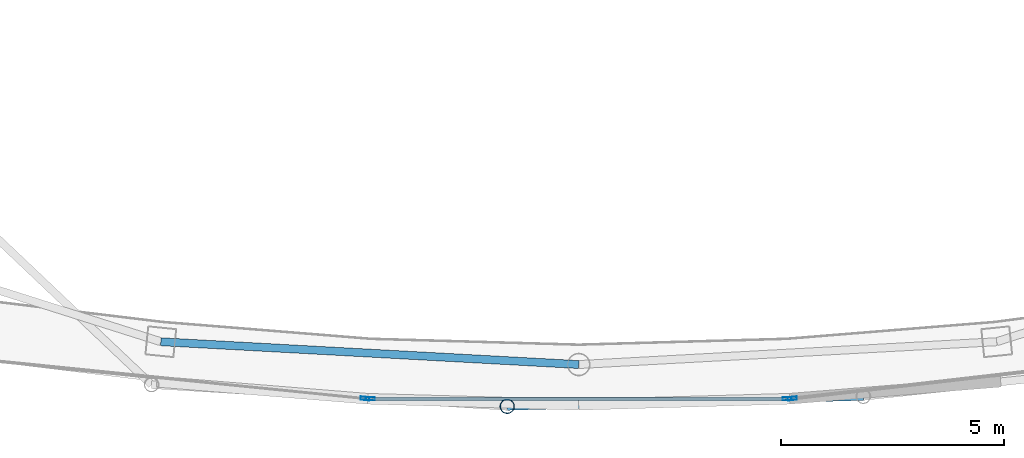
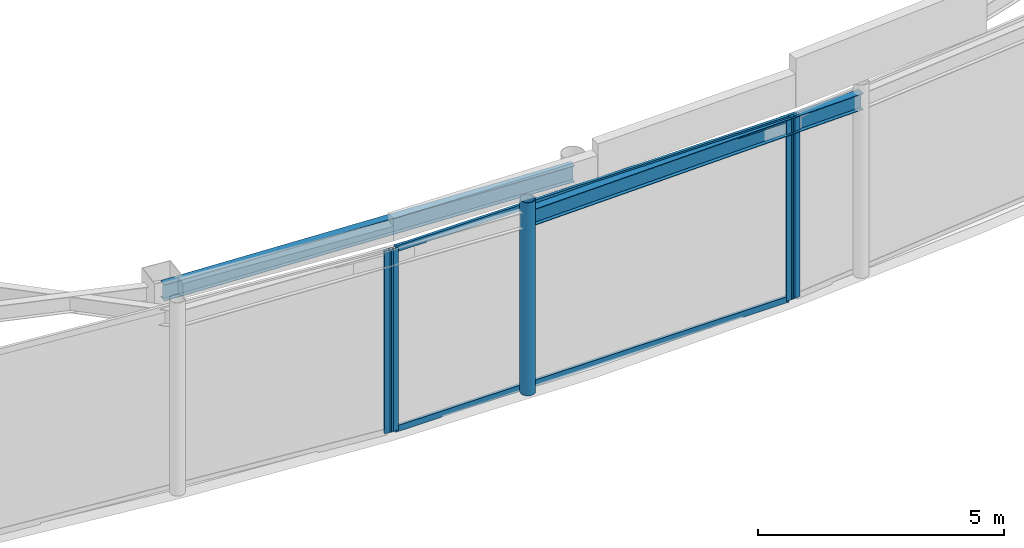
# One storey, part 6 of 18: 7 members, 2 beams, 3 elements without a shape of their own.
"""IFC4 building model written with IfcOpenShell, lengths in metres."""

from ifc_helpers import new_model, si_unit, direction, frame, origin, origin_2d, place, context, subcontext, project, spatial, hollow_rectangle, hollow_circle, i_section, extrude, material, layer, layer_set, material_profile, profile_set, type_object, element, aggregate, save


model = new_model("IFC4")

# Units and contexts
model_context = context("Model", 3, precision=1e-05, world=origin(), true_north=direction((0.0, 1.0)))
body_context = subcontext(model_context, "Body", "Model", "MODEL_VIEW")
ifc_project = project(units=[si_unit("LENGTHUNIT", "METRE"), si_unit("AREAUNIT", "SQUARE_METRE"), si_unit("VOLUMEUNIT", "CUBIC_METRE"), si_unit("PLANEANGLEUNIT", "RADIAN"), si_unit("MASSUNIT", "GRAM", prefix="KILO")], contexts=[model_context])

# Site, building, storey
site_placement = place(None, origin())
site = spatial("IfcSite", under=ifc_project, at=site_placement, CompositionType="ELEMENT")
building_placement = place(site_placement, origin())
building = spatial("IfcBuilding", under=site, at=building_placement, Name="Orvanel Arch Residences", CompositionType="ELEMENT")
storey_placement = place(building_placement, frame((0.0, 0.0, 310.10009765625)))
storey = spatial("IfcBuildingStorey", under=building, at=storey_placement, Name="L86", CompositionType="ELEMENT", Elevation=310.10009765625)

# Curtain wall, member
ifc_material_1 = material(Name="Bronze-anodised aluminium AA6063-T6", Category="aluminium")
ifc_layer = layer(ifc_material_1, 0.2099609375)
ifc_layer_set = layer_set([ifc_layer], Name="Bronze-anodised aluminium AA6063-T6")
curtain_wall_type = type_object("IfcCurtainWallType", Name="CW7-TOP-SYS", PredefinedType="NOTDEFINED", material=ifc_layer_set)
curtain_wall_1_placement = place(storey_placement, origin())
curtain_wall_1 = element("IfcCurtainWall", 1, at=curtain_wall_1_placement, inside=storey, type_object=curtain_wall_type, Name="L86 CW7-TOP-SYS Unitised Curtain Wall", PredefinedType="NOTDEFINED")
ifc_material_profile_1 = material_profile(ifc_material_1, hollow_rectangle(XDim=0.074951171875, YDim=0.199951171875, WallThickness=0.0048828125, at=origin_2d()), Name="ALU200x75x5")
ifc_profile_set_1 = profile_set([ifc_material_profile_1], Name="Bronze-anodised aluminium AA6063-T6")
member_type_1 = type_object("IfcMemberType", Name="MUL-200x75", PredefinedType="MULLION", material=ifc_profile_set_1)
member_1_placement = place(storey_placement, frame((28.2216796875, 6.083740234375, 0.0), z_axis=(0.0, 0.0, 1.0), x_axis=(0.10054103466, 0.994932912487, 0.0)))
member_1 = element("IfcMember", 2, at=member_1_placement, type_object=member_type_1, Name="CW-S7 mullion 2", PredefinedType="MULLION", context=body_context, shape_type="SweptSolid", body=[
    extrude(hollow_rectangle(XDim=0.074951171875, YDim=0.199951171875, WallThickness=0.0048828125, at=origin_2d()), origin(), (0.0, 0.0, 1.0), 4.539794921875),
])
aggregate(curtain_wall_1, [member_1])

# Curtain wall, members
curtain_wall_2_placement = place(storey_placement, origin())
curtain_wall_2 = element("IfcCurtainWall", 3, at=curtain_wall_2_placement, inside=storey, type_object=curtain_wall_type, Name="L86 CW7-TOP-SYS Unitised Curtain Wall", PredefinedType="NOTDEFINED")
member_2_placement = place(storey_placement, frame((28.33642578125, 6.077880859375, 0.0), z_axis=(0.0, 0.0, 1.0), x_axis=(0.0, 1.0, 0.0)))
member_2 = element("IfcMember", 4, at=member_2_placement, type_object=member_type_1, Name="CW-S7 mullion 1", PredefinedType="MULLION", context=body_context, shape_type="SweptSolid", body=[
    extrude(hollow_rectangle(XDim=0.074951171875, YDim=0.199951171875, WallThickness=0.0048828125, at=origin_2d()), origin(), (0.0, 0.0, 1.0), 4.539794921875),
])
member_3_placement = place(storey_placement, frame((37.66357421875, 6.077880859375, 0.0), z_axis=(0.0, 0.0, 1.0), x_axis=(0.0, 1.0, 0.0)))
member_3 = element("IfcMember", 5, at=member_3_placement, type_object=member_type_1, Name="CW-S7 mullion 2", PredefinedType="MULLION", context=body_context, shape_type="SweptSolid", body=[
    extrude(hollow_rectangle(XDim=0.074951171875, YDim=0.199951171875, WallThickness=0.0048828125, at=origin_2d()), origin(), (0.0, 0.0, 1.0), 4.539794921875),
])

# Curtain wall, member
curtain_wall_3_placement = place(storey_placement, origin())
curtain_wall_3 = element("IfcCurtainWall", 6, at=curtain_wall_3_placement, inside=storey, type_object=curtain_wall_type, Name="L86 CW7-TOP-SYS Unitised Curtain Wall", PredefinedType="NOTDEFINED")
member_4_placement = place(storey_placement, frame((37.7783203125, 6.084228515625, 0.0), z_axis=(0.0, 0.0, 1.0), x_axis=(-0.11424494002, 0.9934526127, 0.0)))
member_4 = element("IfcMember", 7, at=member_4_placement, type_object=member_type_1, Name="CW-S7 mullion 1", PredefinedType="MULLION", context=body_context, shape_type="SweptSolid", body=[
    extrude(hollow_rectangle(XDim=0.074951171875, YDim=0.199951171875, WallThickness=0.0048828125, at=origin_2d()), origin(), (0.0, 0.0, 1.0), 4.539794921875),
])
aggregate(curtain_wall_3, [member_4])

# Beams
ifc_material_2 = material(Name="Structural steel AS/NZS 3679.1 Grade 300 (300 MPa)", Category="steel")
ifc_material_profile_2 = material_profile(ifc_material_2, i_section(OverallWidth=0.177978515625, OverallDepth=0.406005859375, WebThickness=0.0078125, FlangeThickness=0.0126953125, at=origin_2d()), Name="410UB59.7")
ifc_profile_set_2 = profile_set([ifc_material_profile_2], Name="Structural steel AS/NZS 3679.1 Grade 300 (300 MPa)")
beam_type_1 = type_object("IfcBeamType", Name="OB-410UB", PredefinedType="SPANDREL", material=ifc_profile_set_2)
beam_1_placement = place(storey_placement, frame((23.64892578125, 7.35498046875, 4.3369140625), z_axis=(0.998510315598, -0.054563262768, 0.0), x_axis=(0.054563262768, 0.998510315598, 0.0)))
element("IfcBeam", 8, at=beam_1_placement, inside=storey, type_object=beam_type_1, Name="L86 Perimeter Spandrel Beam 03", PredefinedType="SPANDREL", context=body_context, shape_type="SweptSolid", body=[
    extrude(i_section(OverallWidth=0.177978515625, OverallDepth=0.406005859375, WebThickness=0.0078125, FlangeThickness=0.0126953125, at=origin_2d()), origin(), (0.0, 0.0, 1.0), 9.364990234375),
])
ifc_material_profile_3 = material_profile(ifc_material_2, i_section(OverallWidth=0.177978515625, OverallDepth=0.406005859375, WebThickness=0.0078125, FlangeThickness=0.0126953125, at=origin_2d()), Name="410UB59.7")
ifc_profile_set_3 = profile_set([ifc_material_profile_3], Name="Structural steel AS/NZS 3679.1 Grade 300 (300 MPa)")
beam_type_2 = type_object("IfcBeamType", Name="OB-410UB-EXT", PredefinedType="SPANDREL", material=ifc_profile_set_3)
beam_2_placement = place(storey_placement, frame((31.39892578125, 5.908935546875, 4.3369140625), z_axis=(0.999611510585, 0.027871632645, 0.0), x_axis=(-0.027871632645, 0.999611510585, 0.0)))
element("IfcBeam", 9, at=beam_2_placement, inside=storey, type_object=beam_type_2, Name="L86 Outer Perimeter Floor Ring Beam 06", PredefinedType="SPANDREL", context=body_context, shape_type="SweptSolid", body=[
    extrude(i_section(OverallWidth=0.177978515625, OverallDepth=0.406005859375, WebThickness=0.0078125, FlangeThickness=0.0126953125, at=origin_2d()), origin(), (0.0, 0.0, 1.0), 7.97119140625),
])

# Member
ifc_material_3 = material(Name="Structural steel AS/NZS 1163 C350L0 (Grade 350)", Category="steel")
ifc_material_profile_4 = material_profile(ifc_material_3, hollow_circle(Radius=0.162109375, WallThickness=0.0126953125, at=origin_2d()), Name="CHS324x12.7")
ifc_profile_set_4 = profile_set([ifc_material_profile_4], Name="Structural steel AS/NZS 1163 C350L0 (Grade 350)")
member_type_2 = type_object("IfcMemberType", Name="ST-324CHS-EXT", PredefinedType="STRUT", material=ifc_profile_set_4)
member_5_placement = place(storey_placement, frame((31.39892578125, 5.908935546875, 0.0), z_axis=(0.0, 0.0, 1.0), x_axis=(1.0, 0.0, 0.0)))
element("IfcMember", 10, at=member_5_placement, inside=storey, type_object=member_type_2, Name="L86 Outer Perimeter Frame Post 06", PredefinedType="STRUT", context=body_context, shape_type="SweptSolid", body=[
    extrude(hollow_circle(Radius=0.162109375, WallThickness=0.0126953125, at=origin_2d()), origin(), (0.0, 0.0, 1.0), 4.7998046875),
])

ifc_material_profile_5 = material_profile(ifc_material_1, hollow_rectangle(XDim=0.06494140625, YDim=0.14990234375, WallThickness=0.00390625, at=origin_2d()), Name="ALU150x65x4")
ifc_profile_set_5 = profile_set([ifc_material_profile_5], Name="Bronze-anodised aluminium AA6063-T6")
member_type_3 = type_object("IfcMemberType", Name="TRN-150x65", PredefinedType="USERDEFINED", material=ifc_profile_set_5)
member_6_placement = place(storey_placement, frame((28.3740234375, 6.077880859375, 0.032470703125), z_axis=(1.0, 0.0, 0.0), x_axis=(0.0, 1.0, 0.0)))
member_6 = element("IfcMember", 11, at=member_6_placement, type_object=member_type_3, Name="CW-S7 transom 1.1", ObjectType="TRANSOM", PredefinedType="USERDEFINED", context=body_context, shape_type="SweptSolid", body=[
    extrude(hollow_rectangle(XDim=0.06494140625, YDim=0.14990234375, WallThickness=0.00390625, at=origin_2d()), origin(), (0.0, 0.0, 1.0), 9.251953125),
])

member_7_placement = place(storey_placement, frame((28.3740234375, 6.077880859375, 4.50732421875), z_axis=(1.0, 0.0, 0.0), x_axis=(0.0, 1.0, 0.0)))
member_7 = element("IfcMember", 12, at=member_7_placement, type_object=member_type_3, Name="CW-S7 transom 1.2", ObjectType="TRANSOM", PredefinedType="USERDEFINED", context=body_context, shape_type="SweptSolid", body=[
    extrude(hollow_rectangle(XDim=0.06494140625, YDim=0.14990234375, WallThickness=0.00390625, at=origin_2d()), origin(), (0.0, 0.0, 1.0), 9.251953125),
])

aggregate(curtain_wall_2, [member_2, member_3, member_6, member_7])

save(model, "model.ifc")
